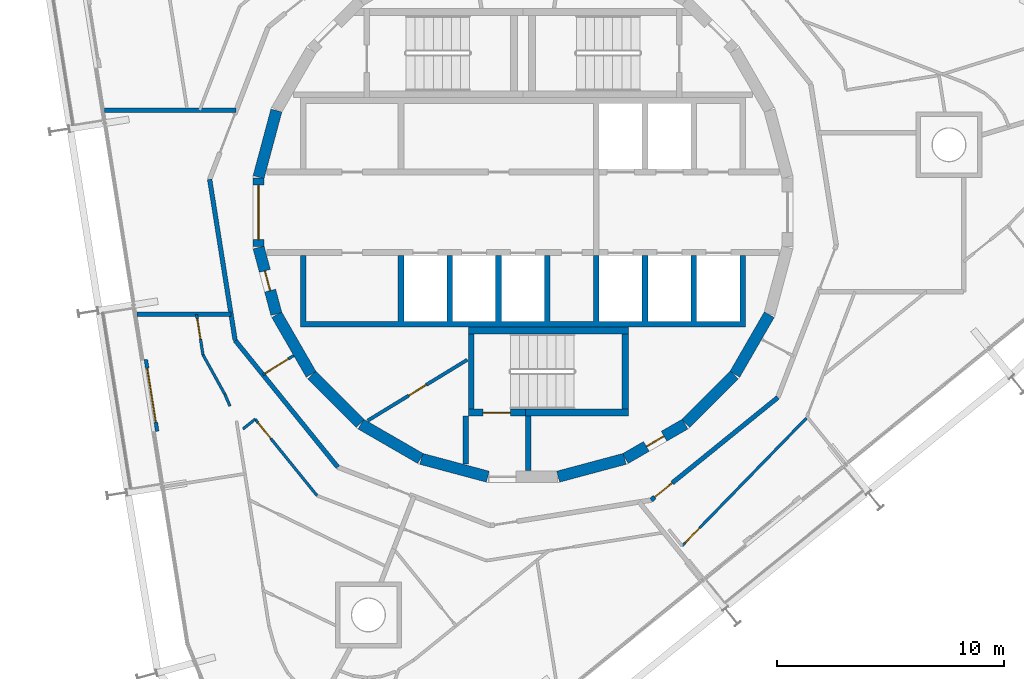
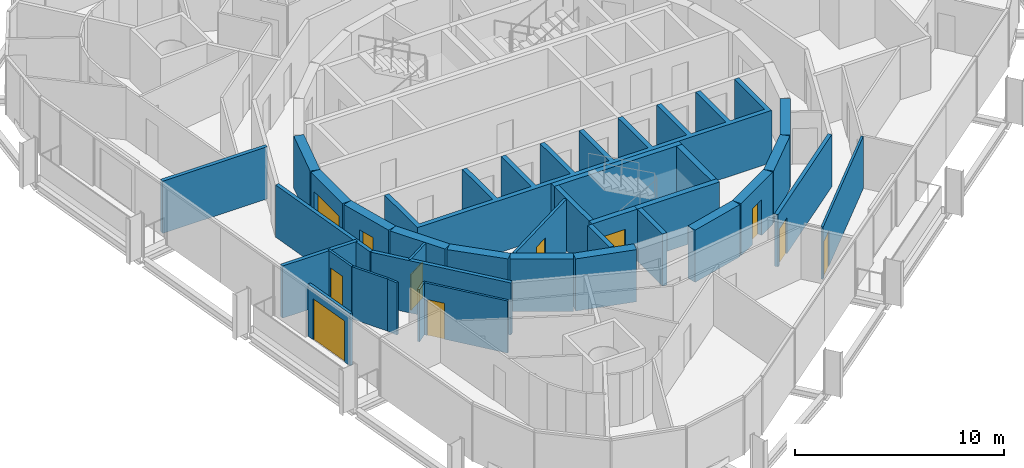
# One storey, part 12 of 17: 33 walls, 11 doors, 11 openings.
"""IFC4 building model written with IfcOpenShell, lengths in metres."""

from ifc_helpers import new_model, si_unit, direction, frame, frame_2d, origin, place, context, subcontext, project, spatial, polyline, rectangle, outline, extrude, material, layer, layer_set, type_object, element, fill, save


model = new_model("IFC4")

# Units and contexts
model_context = context("Model", 3, precision=1e-05, world=origin(), true_north=direction((0.0, 1.0)))
body_context = subcontext(model_context, "Body", "Model", "MODEL_VIEW")
ifc_project = project(units=[si_unit("LENGTHUNIT", "METRE"), si_unit("AREAUNIT", "SQUARE_METRE"), si_unit("VOLUMEUNIT", "CUBIC_METRE"), si_unit("PLANEANGLEUNIT", "RADIAN"), si_unit("MASSUNIT", "GRAM", prefix="KILO")], contexts=[model_context])

# Site, building, storey
site_placement = place(None, origin())
site = spatial("IfcSite", under=ifc_project, at=site_placement, CompositionType="ELEMENT")
building_placement = place(site_placement, origin())
building = spatial("IfcBuilding", under=site, at=building_placement, Name="Spindle Arch Residences", CompositionType="ELEMENT")
storey_placement = place(building_placement, frame((0.0, 0.0, 287.89990234375)))
storey = spatial("IfcBuildingStorey", under=building, at=storey_placement, Name="L74", CompositionType="ELEMENT", Elevation=287.89990234375)

# Wall
ifc_material_1 = material(Name="Concrete C50/60", Category="concrete")
ifc_layer_1 = layer(ifc_material_1, 0.5)
ifc_layer_set_1 = layer_set([ifc_layer_1], Name="Core outline wall 500")
wall_type_1 = type_object("IfcWallType", Name="Core outline wall 500", PredefinedType="SHEAR", material=ifc_layer_set_1)
wall_1_placement = place(storey_placement, frame((1.5498046875, -11.642822265625, 0.0), z_axis=(0.0, 0.0, 1.0), x_axis=(0.965948410781, 0.258734743916, 0.0)))
element("IfcWall", 1, at=wall_1_placement, inside=storey, type_object=wall_type_1, Name="Core outline wall 1", PredefinedType="SHEAR", context=body_context, shape_type="SweptSolid", body=[
    extrude(rectangle(XDim=3.03271484375, YDim=0.5, at=frame_2d((1.516357421875, 0.0))), origin(), (0.0, 0.0, 1.0), 3.050048828125),
])

# Wall, opening, door
wall_2_placement = place(storey_placement, frame((4.510498046875, -10.84521484375, 0.0), z_axis=(0.0, 0.0, 1.0), x_axis=(0.865975092491, 0.500087131594, 0.0)))
wall_2 = element("IfcWall", 2, at=wall_2_placement, inside=storey, type_object=wall_type_1, Name="Core outline wall 2", PredefinedType="SHEAR", context=body_context, shape_type="SweptSolid", body=[
    extrude(rectangle(XDim=3.03271484375, YDim=0.5, at=frame_2d((1.516357421875, 0.0))), origin(), (0.0, 0.0, 1.0), 3.050048828125),
])
opening_1_placement = place(wall_2_placement, frame((1.06640625, 0.0, 0.0)))
opening_1 = element("IfcOpeningElement", 3, at=opening_1_placement, cuts=wall_2, Name="Opening R7C1-WD09", PredefinedType="OPENING", context=body_context, shape_type="SweptSolid", body=[
    extrude(rectangle(XDim=0.89990234375, YDim=2.10009765625, at=frame_2d((0.449951171875, 1.050048828125))), frame((0.0, 0.260009765625, 0.0), z_axis=(0.0, -1.0, 0.0), x_axis=(1.0, 0.0, 0.0)), (0.0, 0.0, 1.0), 0.52001953125),
])
ifc_material_2 = material(Name="Steel, fire-resisting door", Category="steel")
door_type_1 = type_object("IfcDoorType", Name="Service room door 900x2100", OperationType="SINGLE_SWING_LEFT", PredefinedType="DOOR", material=ifc_material_2)
door_1_placement = place(opening_1_placement, origin())
door_1 = element("IfcDoor", 4, at=door_1_placement, inside=storey, type_object=door_type_1, Name="Service room door R7C1-WD09", OperationType="SINGLE_SWING_LEFT", OverallHeight=2.10009765625, OverallWidth=0.89990234375, PredefinedType="DOOR", context=body_context, shape_type="SweptSolid", body=[
    extrude(rectangle(XDim=0.89990234375, YDim=2.10009765625, at=frame_2d((0.449951171875, 1.050048828125))), frame((0.0, 0.02490234375, 0.0), z_axis=(0.0, -1.0, 0.0), x_axis=(1.0, 0.0, 0.0)), (0.0, 0.0, 1.0), 0.050048828125),
])
fill(opening_1, door_1)

# Walls
wall_3_placement = place(storey_placement, frame((7.163818359375, -9.30810546875, 0.0), z_axis=(0.0, 0.0, 1.0), x_axis=(0.707106781187, 0.707106781187, 0.0)))
element("IfcWall", 5, at=wall_3_placement, inside=storey, type_object=wall_type_1, Name="Core outline wall 3", PredefinedType="SHEAR", context=body_context, shape_type="SweptSolid", body=[
    extrude(rectangle(XDim=3.032470703125, YDim=0.5, at=frame_2d((1.51611328125, 0.0))), origin(), (0.0, 0.0, 1.0), 3.050048828125),
])
for number, where, z_axis, x_axis, name in (
    (6, (9.32861328125, -7.13671875, 0.0), (0.0, 0.0, 1.0), (0.500087131594, 0.865975092491, 0.0), "Core outline wall 4"),
    (7, (-10.858154296875, 4.479248046875, 0.0), (0.0, 0.0, 1.0), (-0.258734743916, -0.965948410781, 0.0), "Core outline wall 17"),
):
    element("IfcWall", number, at=place(storey_placement, frame(where, z_axis=z_axis, x_axis=x_axis)), inside=storey, type_object=wall_type_1, Name=name, PredefinedType="SHEAR", context=body_context, shape_type="SweptSolid", body=[
        extrude(rectangle(XDim=3.03271484375, YDim=0.5, at=frame_2d((1.516357421875, 0.0))), origin(), (0.0, 0.0, 1.0), 3.050048828125),
    ])

# Wall, opening, door
wall_4_placement = place(storey_placement, frame((-11.647216796875, 1.516357421875, 0.0), z_axis=(0.0, 0.0, 1.0), x_axis=(0.0, -1.0, 0.0)))
wall_4 = element("IfcWall", 8, at=wall_4_placement, inside=storey, type_object=wall_type_1, Name="Core outline wall 18", PredefinedType="SHEAR", context=body_context, shape_type="SweptSolid", body=[
    extrude(rectangle(XDim=3.03271484375, YDim=0.5, at=frame_2d((1.516357421875, 0.0))), origin(), (0.0, 0.0, 1.0), 3.050048828125),
])
opening_2_placement = place(wall_4_placement, frame((0.31640625, 0.0, 0.0)))
opening_2 = element("IfcOpeningElement", 9, at=opening_2_placement, cuts=wall_4, Name="Opening R7C1-LE01", PredefinedType="OPENING", context=body_context, shape_type="SweptSolid", body=[
    extrude(rectangle(XDim=2.39990234375, YDim=2.10009765625, at=frame_2d((1.199951171875, 1.050048828125))), frame((0.0, 0.260009765625, 0.0), z_axis=(0.0, -1.0, 0.0), x_axis=(1.0, 0.0, 0.0)), (0.0, 0.0, 1.0), 0.52001953125),
])
ifc_material_3 = material(Name="Steel, fire-resisting door", Category="steel")
door_type_2 = type_object("IfcDoorType", Name="Lift lobby entrance door 2400x2100", OperationType="DOUBLE_DOOR_SINGLE_SWING", PredefinedType="DOOR", material=ifc_material_3)
door_2_placement = place(opening_2_placement, origin())
door_2 = element("IfcDoor", 10, at=door_2_placement, inside=storey, type_object=door_type_2, Name="Lift lobby entrance door R7C1-LE01", OperationType="DOUBLE_DOOR_SINGLE_SWING", OverallHeight=2.10009765625, OverallWidth=2.39990234375, PredefinedType="DOOR", context=body_context, shape_type="SweptSolid", body=[
    extrude(rectangle(XDim=2.39990234375, YDim=2.10009765625, at=frame_2d((1.199951171875, 1.050048828125))), frame((0.0, 0.02490234375, 0.0), z_axis=(0.0, -1.0, 0.0), x_axis=(1.0, 0.0, 0.0)), (0.0, 0.0, 1.0), 0.050048828125),
])
fill(opening_2, door_2)

wall_5_placement = place(storey_placement, frame((-11.642822265625, -1.5498046875, 0.0), z_axis=(0.0, 0.0, 1.0), x_axis=(0.258734743916, -0.965948410781, 0.0)))
wall_5 = element("IfcWall", 11, at=wall_5_placement, inside=storey, type_object=wall_type_1, Name="Core outline wall 19", PredefinedType="SHEAR", context=body_context, shape_type="SweptSolid", body=[
    extrude(rectangle(XDim=3.03271484375, YDim=0.5, at=frame_2d((1.516357421875, 0.0))), origin(), (0.0, 0.0, 1.0), 3.050048828125),
])
opening_3_placement = place(wall_5_placement, frame((1.06640625, 0.0, 0.0)))
opening_3 = element("IfcOpeningElement", 12, at=opening_3_placement, cuts=wall_5, Name="Opening R7C1-WD10", PredefinedType="OPENING", context=body_context, shape_type="SweptSolid", body=[
    extrude(rectangle(XDim=0.89990234375, YDim=2.10009765625, at=frame_2d((0.449951171875, 1.050048828125))), frame((0.0, 0.260009765625, 0.0), z_axis=(0.0, -1.0, 0.0), x_axis=(1.0, 0.0, 0.0)), (0.0, 0.0, 1.0), 0.52001953125),
])
door_3_placement = place(opening_3_placement, origin())
door_3 = element("IfcDoor", 13, at=door_3_placement, inside=storey, type_object=door_type_1, Name="Service room door R7C1-WD10", OperationType="SINGLE_SWING_RIGHT", OverallHeight=2.10009765625, OverallWidth=0.89990234375, PredefinedType="DOOR", context=body_context, shape_type="SweptSolid", body=[
    extrude(rectangle(XDim=0.89990234375, YDim=2.10009765625, at=frame_2d((0.449951171875, 1.050048828125))), frame((0.0, 0.02490234375, 0.0), z_axis=(0.0, -1.0, 0.0), x_axis=(1.0, 0.0, 0.0)), (0.0, 0.0, 1.0), 0.050048828125),
])
fill(opening_3, door_3)

# Walls
wall_6_placement = place(storey_placement, frame((-10.84521484375, -4.510498046875, 0.0), z_axis=(0.0, 0.0, 1.0), x_axis=(0.500087131594, -0.865975092491, 0.0)))
element("IfcWall", 14, at=wall_6_placement, inside=storey, type_object=wall_type_1, Name="Core outline wall 20", PredefinedType="SHEAR", context=body_context, shape_type="SweptSolid", body=[
    extrude(rectangle(XDim=3.03271484375, YDim=0.5, at=frame_2d((1.516357421875, 0.0))), origin(), (0.0, 0.0, 1.0), 3.050048828125),
])
wall_7_placement = place(storey_placement, frame((-9.30810546875, -7.163818359375, 0.0), z_axis=(0.0, 0.0, 1.0), x_axis=(0.707106781187, -0.707106781187, 0.0)))
element("IfcWall", 15, at=wall_7_placement, inside=storey, type_object=wall_type_1, Name="Core outline wall 21", PredefinedType="SHEAR", context=body_context, shape_type="SweptSolid", body=[
    extrude(rectangle(XDim=3.032470703125, YDim=0.5, at=frame_2d((1.51611328125, 0.0))), origin(), (0.0, 0.0, 1.0), 3.050048828125),
])
for number, where, z_axis, x_axis, name in (
    (16, (-7.13671875, -9.32861328125, 0.0), (0.0, 0.0, 1.0), (0.865975092491, -0.500087131594, 0.0), "Core outline wall 22"),
    (17, (-4.479248046875, -10.858154296875, 0.0), (0.0, 0.0, 1.0), (0.965948410781, -0.258734743916, 0.0), "Core outline wall 23"),
):
    element("IfcWall", number, at=place(storey_placement, frame(where, z_axis=z_axis, x_axis=x_axis)), inside=storey, type_object=wall_type_1, Name=name, PredefinedType="SHEAR", context=body_context, shape_type="SweptSolid", body=[
        extrude(rectangle(XDim=3.03271484375, YDim=0.5, at=frame_2d((1.516357421875, 0.0))), origin(), (0.0, 0.0, 1.0), 3.050048828125),
    ])

# Wall, opening, door
ifc_material_4 = material(Name="Plasterboard on steel studs", Category="steel")
ifc_layer_2 = layer(ifc_material_4, 0.1201171875)
ifc_layer_set_2 = layer_set([ifc_layer_2], Name="Corridor division wall 120")
wall_type_2 = type_object("IfcWallType", Name="Corridor division wall 120", PredefinedType="PARTITIONING", material=ifc_layer_set_2)
wall_8_placement = place(storey_placement, frame((-11.44921875, -7.154296875, 0.0), z_axis=(0.0, 0.0, 1.0), x_axis=(0.848067047543, 0.529888934468, 0.0)))
wall_8 = element("IfcWall", 18, at=wall_8_placement, inside=storey, type_object=wall_type_2, Name="Corridor division wall R7C1-W003", PredefinedType="PARTITIONING", context=body_context, shape_type="SweptSolid", body=[
    extrude(rectangle(XDim=1.595947265625, YDim=0.1201171875, at=frame_2d((0.7978515625, 0.0))), origin(), (0.0, 0.0, 1.0), 3.050048828125),
])
opening_4_placement = place(wall_8_placement, frame((0.1201171875, 0.0, 0.0)))
opening_4 = element("IfcOpeningElement", 19, at=opening_4_placement, cuts=wall_8, Name="Opening R7C1-CD03", PredefinedType="OPENING", context=body_context, shape_type="SweptSolid", body=[
    extrude(rectangle(XDim=1.199951171875, YDim=2.10009765625, at=frame_2d((0.60009765625, 1.050048828125))), frame((0.0, 0.070068359375, 0.0), z_axis=(0.0, -1.0, 0.0), x_axis=(1.0, 0.0, 0.0)), (0.0, 0.0, 1.0), 0.14013671875),
])
ifc_material_5 = material(Name="Steel, fire-resisting door", Category="steel")
door_type_3 = type_object("IfcDoorType", Name="Corridor division door 1200x2100", OperationType="NOTDEFINED", PredefinedType="DOOR", material=ifc_material_5)
door_4_placement = place(opening_4_placement, origin())
door_4 = element("IfcDoor", 20, at=door_4_placement, inside=storey, type_object=door_type_3, Name="Corridor division door R7C1-CD03", OperationType="DOUBLE_DOOR_SINGLE_SWING", OverallHeight=2.10009765625, OverallWidth=1.199951171875, PredefinedType="DOOR", context=body_context, shape_type="SweptSolid", body=[
    extrude(rectangle(XDim=1.199951171875, YDim=2.10009765625, at=frame_2d((0.60009765625, 1.050048828125))), frame((0.0, 0.02490234375, 0.0), z_axis=(0.0, -1.0, 0.0), x_axis=(1.0, 0.0, 0.0)), (0.0, 0.0, 1.0), 0.050048828125),
])
fill(opening_4, door_4)

# Wall
ifc_material_6 = material(Name="Calcium silicate block, plastered")
ifc_layer_3 = layer(ifc_material_6, 0.199951171875)
ifc_layer_set_3 = layer_set([ifc_layer_3], Name="Corridor wall 200")
wall_type_3 = type_object("IfcWallType", Name="Corridor wall 200", PredefinedType="STANDARD", material=ifc_layer_set_3)
wall_9_placement = place(storey_placement, frame((-12.67333984375, -5.642578125, 0.0), z_axis=(0.0, 0.0, 1.0), x_axis=(0.629302871585, -0.777160148113, 0.0)))
element("IfcWall", 21, at=wall_9_placement, inside=storey, type_object=wall_type_3, Name="Corridor wall R7C1-W012", PredefinedType="STANDARD", context=body_context, shape_type="SweptSolid", body=[
    extrude(rectangle(XDim=7.180908203125, YDim=0.199951171875, at=frame_2d((3.59033203125, 0.0))), origin(), (0.0, 0.0, 1.0), 3.050048828125),
])

# Wall, opening, door
wall_10_placement = place(storey_placement, frame((5.642578125, -12.67333984375, 0.0), z_axis=(0.0, 0.0, 1.0), x_axis=(0.777160148113, 0.629302871585, 0.0)))
wall_10 = element("IfcWall", 22, at=wall_10_placement, inside=storey, type_object=wall_type_3, Name="Corridor wall R7C1-W015", PredefinedType="STANDARD", context=body_context, shape_type="SweptSolid", body=[
    extrude(rectangle(XDim=7.180908203125, YDim=0.199951171875, at=frame_2d((3.59033203125, 0.0))), origin(), (0.0, 0.0, 1.0), 3.050048828125),
])
opening_5_placement = place(wall_10_placement, frame((0.199951171875, 0.0, 0.0)))
opening_5 = element("IfcOpeningElement", 23, at=opening_5_placement, cuts=wall_10, Name="Opening R7C1-FD06", PredefinedType="OPENING", context=body_context, shape_type="SweptSolid", body=[
    extrude(rectangle(XDim=1.0, YDim=2.10009765625, at=frame_2d((0.5, 1.050048828125))), frame((0.0, 0.10986328125, 0.0), z_axis=(0.0, -1.0, 0.0), x_axis=(1.0, 0.0, 0.0)), (0.0, 0.0, 1.0), 0.219970703125),
])
ifc_material_7 = material(Name="Timber, fire-resisting door set", Category="wood")
door_type_4 = type_object("IfcDoorType", Name="Flat entrance door 1000x2100", OperationType="NOTDEFINED", PredefinedType="DOOR", material=ifc_material_7)
door_5_placement = place(opening_5_placement, origin())
door_5 = element("IfcDoor", 24, at=door_5_placement, inside=storey, type_object=door_type_4, Name="Flat entrance door R7C1-FD06", OperationType="SINGLE_SWING_LEFT", OverallHeight=2.10009765625, OverallWidth=1.0, PredefinedType="DOOR", context=body_context, shape_type="SweptSolid", body=[
    extrude(rectangle(XDim=1.0, YDim=2.10009765625, at=frame_2d((0.5, 1.050048828125))), frame((0.0, 0.02490234375, 0.0), z_axis=(0.0, -1.0, 0.0), x_axis=(1.0, 0.0, 0.0)), (0.0, 0.0, 1.0), 0.050048828125),
])
fill(opening_5, door_5)

ifc_material_8 = material(Name="Plasterboard on steel studs", Category="steel")
ifc_layer_4 = layer(ifc_material_8, 0.1201171875)
ifc_layer_set_4 = layer_set([ifc_layer_4], Name="Flat partition 120")
wall_type_4 = type_object("IfcWallType", Name="Flat partition 120", PredefinedType="PARTITIONING", material=ifc_layer_set_4)
wall_11_placement = place(storey_placement, frame((-14.373046875, -4.5, 0.0), z_axis=(0.0, 0.0, 1.0), x_axis=(0.156437152886, -0.987687914878, 0.0)))
wall_11 = element("IfcWall", 25, at=wall_11_placement, inside=storey, type_object=wall_type_4, Name="Flat partition R7C1-W067", PredefinedType="PARTITIONING", context=body_context, shape_type="SweptSolid", body=[
    extrude(rectangle(XDim=1.79638671875, YDim=0.1201171875, at=frame_2d((0.898193359375, 0.0))), origin(), (0.0, 0.0, 1.0), 3.050048828125),
])
opening_6_placement = place(wall_11_placement, frame((0.199951171875, 0.0, 0.0)))
opening_6 = element("IfcOpeningElement", 26, at=opening_6_placement, cuts=wall_11, Name="Opening R7C1-ID13", PredefinedType="OPENING", context=body_context, shape_type="SweptSolid", body=[
    extrude(rectangle(XDim=0.89990234375, YDim=2.10009765625, at=frame_2d((0.449951171875, 1.050048828125))), frame((0.0, 0.070068359375, 0.0), z_axis=(0.0, -1.0, 0.0), x_axis=(1.0, 0.0, 0.0)), (0.0, 0.0, 1.0), 0.14013671875),
])
ifc_material_9 = material(Name="Timber door set", Category="wood")
door_type_5 = type_object("IfcDoorType", Name="Room door 900x2100", OperationType="NOTDEFINED", PredefinedType="DOOR", material=ifc_material_9)
door_6_placement = place(opening_6_placement, origin())
door_6 = element("IfcDoor", 27, at=door_6_placement, inside=storey, type_object=door_type_5, Name="Room door R7C1-ID13", OperationType="SINGLE_SWING_RIGHT", OverallHeight=2.10009765625, OverallWidth=0.89990234375, PredefinedType="DOOR", context=body_context, shape_type="SweptSolid", body=[
    extrude(rectangle(XDim=0.89990234375, YDim=2.10009765625, at=frame_2d((0.449951171875, 1.050048828125))), frame((0.0, 0.02490234375, 0.0), z_axis=(0.0, -1.0, 0.0), x_axis=(1.0, 0.0, 0.0)), (0.0, 0.0, 1.0), 0.050048828125),
])
fill(opening_6, door_6)

# Walls
wall_12_placement = place(storey_placement, frame((-14.092041015625, -6.274169921875, 0.0), z_axis=(0.0, 0.0, 1.0), x_axis=(0.484732033151, -0.87466270987, 0.0)))
element("IfcWall", 28, at=wall_12_placement, inside=storey, type_object=wall_type_4, Name="Flat partition R7C1-W068", PredefinedType="PARTITIONING", context=body_context, shape_type="SweptSolid", body=[
    extrude(rectangle(XDim=1.98046875, YDim=0.1201171875, at=frame_2d((0.990234375, 0.0))), origin(), (0.0, 0.0, 1.0), 3.050048828125),
])
wall_13_placement = place(storey_placement, frame((-13.132080078125, -8.00634765625, 0.0), z_axis=(0.0, 0.0, 1.0), x_axis=(0.400176548656, -0.916438066596, 0.0)))
element("IfcWall", 29, at=wall_13_placement, inside=storey, type_object=wall_type_4, Name="Flat partition R7C1-W069", PredefinedType="PARTITIONING", context=body_context, shape_type="SweptSolid", body=[
    extrude(rectangle(XDim=0.578369140625, YDim=0.1201171875, at=frame_2d((0.2890625, 0.0))), origin(), (0.0, 0.0, 1.0), 3.050048828125),
])
wall_14_placement = place(storey_placement, frame((-12.32958984375, -9.544189453125, 0.0), z_axis=(0.0, 0.0, 1.0), x_axis=(0.777046524115, 0.629443166109, 0.0)))
element("IfcWall", 30, at=wall_14_placement, inside=storey, type_object=wall_type_4, Name="Flat partition R7C1-W070", PredefinedType="PARTITIONING", context=body_context, shape_type="SweptSolid", body=[
    extrude(rectangle(XDim=0.68798828125, YDim=0.1201171875, at=frame_2d((0.343994140625, 0.0))), origin(), (0.0, 0.0, 1.0), 3.050048828125),
])

# Wall, opening, door
wall_15_placement = place(storey_placement, frame((-11.794921875, -9.111083984375, 0.0), z_axis=(0.0, 0.0, 1.0), x_axis=(0.62936834401, -0.777107127466, 0.0)))
wall_15 = element("IfcWall", 31, at=wall_15_placement, inside=storey, type_object=wall_type_4, Name="Flat partition R7C1-W071", PredefinedType="PARTITIONING", context=body_context, shape_type="SweptSolid", body=[
    extrude(rectangle(XDim=4.33447265625, YDim=0.1201171875, at=frame_2d((2.167236328125, 0.0))), origin(), (0.0, 0.0, 1.0), 3.050048828125),
])
opening_7_placement = place(wall_15_placement, frame((0.199951171875, 0.0, 0.0)))
opening_7 = element("IfcOpeningElement", 32, at=opening_7_placement, cuts=wall_15, Name="Opening R7C1-ID14", PredefinedType="OPENING", context=body_context, shape_type="SweptSolid", body=[
    extrude(rectangle(XDim=0.89990234375, YDim=2.10009765625, at=frame_2d((0.449951171875, 1.050048828125))), frame((0.0, 0.070068359375, 0.0), z_axis=(0.0, -1.0, 0.0), x_axis=(1.0, 0.0, 0.0)), (0.0, 0.0, 1.0), 0.14013671875),
])
door_7_placement = place(opening_7_placement, origin())
door_7 = element("IfcDoor", 33, at=door_7_placement, inside=storey, type_object=door_type_5, Name="Room door R7C1-ID14", OperationType="SINGLE_SWING_RIGHT", OverallHeight=2.10009765625, OverallWidth=0.89990234375, PredefinedType="DOOR", context=body_context, shape_type="SweptSolid", body=[
    extrude(rectangle(XDim=0.89990234375, YDim=2.10009765625, at=frame_2d((0.449951171875, 1.050048828125))), frame((0.0, 0.02490234375, 0.0), z_axis=(0.0, -1.0, 0.0), x_axis=(1.0, 0.0, 0.0)), (0.0, 0.0, 1.0), 0.050048828125),
])
fill(opening_7, door_7)

wall_16_placement = place(storey_placement, frame((7.00732421875, -14.692138671875, 0.0), z_axis=(0.0, 0.0, 1.0), x_axis=(0.697286714348, 0.716792325568, 0.0)))
wall_16 = element("IfcWall", 34, at=wall_16_placement, inside=storey, type_object=wall_type_4, Name="Flat partition R7C1-W092", PredefinedType="PARTITIONING", context=body_context, shape_type="SweptSolid", body=[
    extrude(rectangle(XDim=7.847900390625, YDim=0.1201171875, at=frame_2d((3.923828125, 0.0))), origin(), (0.0, 0.0, 1.0), 3.050048828125),
])
opening_8_placement = place(wall_16_placement, frame((0.199951171875, 0.0, 0.0)))
opening_8 = element("IfcOpeningElement", 35, at=opening_8_placement, cuts=wall_16, Name="Opening R7C1-ID21", PredefinedType="OPENING", context=body_context, shape_type="SweptSolid", body=[
    extrude(rectangle(XDim=0.89990234375, YDim=2.10009765625, at=frame_2d((0.449951171875, 1.050048828125))), frame((0.0, 0.070068359375, 0.0), z_axis=(0.0, -1.0, 0.0), x_axis=(1.0, 0.0, 0.0)), (0.0, 0.0, 1.0), 0.14013671875),
])
door_8_placement = place(opening_8_placement, origin())
door_8 = element("IfcDoor", 36, at=door_8_placement, inside=storey, type_object=door_type_5, Name="Room door R7C1-ID21", OperationType="SINGLE_SWING_LEFT", OverallHeight=2.10009765625, OverallWidth=0.89990234375, PredefinedType="DOOR", context=body_context, shape_type="SweptSolid", body=[
    extrude(rectangle(XDim=0.89990234375, YDim=2.10009765625, at=frame_2d((0.449951171875, 1.050048828125))), frame((0.0, 0.02490234375, 0.0), z_axis=(0.0, -1.0, 0.0), x_axis=(1.0, 0.0, 0.0)), (0.0, 0.0, 1.0), 0.050048828125),
])
fill(opening_8, door_8)

ifc_material_10 = material(Name="Non-combustible mineral wool insulated aluminium faced external wall (K0)", Category="aluminium")
ifc_layer_5 = layer(ifc_material_10, 0.159912109375)
ifc_layer_set_5 = layer_set([ifc_layer_5], Name="Insulated external wall panel 160")
wall_type_5 = type_object("IfcWallType", Name="Insulated external wall panel 160", PredefinedType="STANDARD", material=ifc_layer_set_5)
wall_17_placement = place(storey_placement, frame((-16.60693359375, -6.482666015625, 0.0), z_axis=(0.0, 0.0, 1.0), x_axis=(0.156401347891, -0.987693585267, 0.0)))
wall_17 = element("IfcWall", 37, at=wall_17_placement, inside=storey, type_object=wall_type_5, Name="External wall L74 bay 14", PredefinedType="STANDARD", context=body_context, shape_type="SweptSolid", body=[
    extrude(rectangle(XDim=3.199951171875, YDim=0.159912109375, at=frame_2d((1.60009765625, 0.0))), origin(), (0.0, 0.0, 1.0), 3.050048828125),
])
opening_9_placement = place(wall_17_placement, frame((0.39990234375, 0.0, 0.0)))
opening_9 = element("IfcOpeningElement", 38, at=opening_9_placement, cuts=wall_17, Name="Opening BD14", PredefinedType="OPENING", context=body_context, shape_type="SweptSolid", body=[
    extrude(rectangle(XDim=2.39990234375, YDim=2.39990234375, at=frame_2d((1.199951171875, 1.199951171875))), frame((0.0, 0.08984375, 0.0), z_axis=(0.0, -1.0, 0.0), x_axis=(1.0, 0.0, 0.0)), (0.0, 0.0, 1.0), 0.179931640625),
])
ifc_material_11 = material(Name="Bronze aluminium frame, tinted double glazing", Category="aluminium")
door_type_6 = type_object("IfcDoorType", Name="Sliding glazed balcony door 2400x2400", OperationType="DOUBLE_DOOR_SLIDING", PredefinedType="DOOR", material=ifc_material_11)
door_9_placement = place(opening_9_placement, origin())
door_9 = element("IfcDoor", 39, at=door_9_placement, inside=storey, type_object=door_type_6, Name="Balcony door BD14", OperationType="DOUBLE_DOOR_SLIDING", OverallHeight=2.39990234375, OverallWidth=2.39990234375, PredefinedType="DOOR", context=body_context, shape_type="SweptSolid", body=[
    extrude(rectangle(XDim=2.39990234375, YDim=2.39990234375, at=frame_2d((1.199951171875, 1.199951171875))), frame((0.0, 0.02490234375, 0.0), z_axis=(0.0, -1.0, 0.0), x_axis=(1.0, 0.0, 0.0)), (0.0, 0.0, 1.0), 0.050048828125),
])
fill(opening_9, door_9)

# Walls
ifc_material_12 = material(Name="Calcium silicate block, plastered")
ifc_layer_6 = layer(ifc_material_12, 0.199951171875)
ifc_layer_set_6 = layer_set([ifc_layer_6], Name="Lift lobby bay wall 200")
wall_type_6 = type_object("IfcWallType", Name="Lift lobby bay wall 200", PredefinedType="STANDARD", material=ifc_layer_set_6)
wall_18_placement = place(storey_placement, frame((-13.796630859375, 1.4501953125, 0.0), z_axis=(0.0, 0.0, 1.0), x_axis=(0.156421704315, -0.987690361611, 0.0)))
element("IfcWall", 40, at=wall_18_placement, inside=storey, type_object=wall_type_6, Name="Lift lobby bay wall R7C1-W010", PredefinedType="STANDARD", context=body_context, shape_type="SweptSolid", body=[
    extrude(rectangle(XDim=7.18115234375, YDim=0.199951171875, at=frame_2d((3.590576171875, 0.0))), origin(), (0.0, 0.0, 1.0), 3.050048828125),
])
wall_19_placement = place(storey_placement, frame((-12.6259765625, 4.5, 0.0), z_axis=(0.0, 0.0, 1.0), x_axis=(-1.0, 0.0, 0.0)))
element("IfcWall", 41, at=wall_19_placement, inside=storey, type_object=wall_type_6, Name="Lift lobby bay wall R7C1-W016", PredefinedType="STANDARD", context=body_context, shape_type="SweptSolid", body=[
    extrude(rectangle(XDim=5.801513671875, YDim=0.199951171875, at=frame_2d((2.90087890625, 0.0))), origin(), (0.0, 0.0, 1.0), 3.050048828125),
])
wall_20_placement = place(storey_placement, frame((-17.001953125, -4.5, 0.0), z_axis=(0.0, 0.0, 1.0), x_axis=(1.0, 0.0, 0.0)))
element("IfcWall", 42, at=wall_20_placement, inside=storey, type_object=wall_type_6, Name="Lift lobby bay wall R7C1-W017", PredefinedType="STANDARD", context=body_context, shape_type="SweptSolid", body=[
    extrude(rectangle(XDim=4.147705078125, YDim=0.199951171875, at=frame_2d((2.07373046875, 0.0))), origin(), (0.0, 0.0, 1.0), 3.050048828125),
])
ifc_material_13 = material(Name="Concrete C50/60", Category="concrete")
wall_type_7 = type_object("IfcWallType", Name="Lift shaft wall profile", PredefinedType="SHEAR", material=ifc_material_13)
wall_21_placement = place(storey_placement, origin())
element("IfcWall", 43, at=wall_21_placement, inside=storey, type_object=wall_type_7, Name="Lift shaft walls S", PredefinedType="SHEAR", context=body_context, shape_type="SweptSolid", body=[
    extrude(outline(polyline([(9.800048828125, -5.050048828125), (9.800048828125, -4.800048828125), (9.800048828125, -1.89990234375), (9.550048828125, -1.89990234375), (9.550048828125, -4.800048828125), (7.64990234375, -4.800048828125), (7.64990234375, -1.89990234375), (7.39990234375, -1.89990234375), (7.39990234375, -4.800048828125), (5.5, -4.800048828125), (5.5, -1.89990234375), (5.25, -1.89990234375), (5.25, -4.800048828125), (3.35009765625, -4.800048828125), (3.35009765625, -1.89990234375), (3.10009765625, -1.89990234375), (3.10009765625, -4.800048828125), (1.199951171875, -4.800048828125), (1.199951171875, -1.89990234375), (0.949951171875, -1.89990234375), (0.949951171875, -4.800048828125), (-0.949951171875, -4.800048828125), (-0.949951171875, -1.89990234375), (-1.199951171875, -1.89990234375), (-1.199951171875, -4.800048828125), (-3.10009765625, -4.800048828125), (-3.10009765625, -1.89990234375), (-3.35009765625, -1.89990234375), (-3.35009765625, -4.800048828125), (-5.25, -4.800048828125), (-5.25, -1.89990234375), (-5.5, -1.89990234375), (-5.5, -4.800048828125), (-9.550048828125, -4.800048828125), (-9.550048828125, -1.89990234375), (-9.800048828125, -1.89990234375), (-9.800048828125, -4.800048828125), (-9.800048828125, -5.050048828125), (9.800048828125, -5.050048828125)])), origin(), (0.0, 0.0, 1.0), 3.050048828125),
])

# Wall, opening, door
ifc_material_14 = material(Name="Concrete C25/30", Category="concrete")
ifc_layer_7 = layer(ifc_material_14, 0.14990234375)
ifc_layer_set_7 = layer_set([ifc_layer_7], Name="Service room partition 150")
wall_type_8 = type_object("IfcWallType", Name="Service room partition 150", PredefinedType="PARTITIONING", material=ifc_layer_set_7)
wall_22_placement = place(storey_placement, frame((-2.451171875, -6.49462890625, 0.0), z_axis=(0.0, 0.0, 1.0), x_axis=(-0.853250115418, -0.521501908471, 0.0)))
wall_22 = element("IfcWall", 44, at=wall_22_placement, inside=storey, type_object=wall_type_8, Name="Core service room partition", PredefinedType="PARTITIONING", context=body_context, shape_type="SweptSolid", body=[
    extrude(rectangle(XDim=5.137451171875, YDim=0.14990234375, at=frame_2d((2.56884765625, 0.0))), origin(), (0.0, 0.0, 1.0), 3.050048828125),
])
opening_10_placement = place(wall_22_placement, frame((2.11865234375, 0.0, 0.0)))
opening_10 = element("IfcOpeningElement", 45, at=opening_10_placement, cuts=wall_22, Name="Opening R7C1-WD06", PredefinedType="OPENING", context=body_context, shape_type="SweptSolid", body=[
    extrude(rectangle(XDim=0.89990234375, YDim=2.10009765625, at=frame_2d((0.449951171875, 1.050048828125))), frame((0.0, 0.0849609375, 0.0), z_axis=(0.0, -1.0, 0.0), x_axis=(1.0, 0.0, 0.0)), (0.0, 0.0, 1.0), 0.169921875),
])
door_10_placement = place(opening_10_placement, origin())
door_10 = element("IfcDoor", 46, at=door_10_placement, inside=storey, type_object=door_type_1, Name="Service room door R7C1-WD06", OperationType="SINGLE_SWING_RIGHT", OverallHeight=2.10009765625, OverallWidth=0.89990234375, PredefinedType="DOOR", context=body_context, shape_type="SweptSolid", body=[
    extrude(rectangle(XDim=0.89990234375, YDim=2.10009765625, at=frame_2d((0.449951171875, 1.050048828125))), frame((0.0, 0.02490234375, 0.0), z_axis=(0.0, -1.0, 0.0), x_axis=(1.0, 0.0, 0.0)), (0.0, 0.0, 1.0), 0.050048828125),
])
fill(opening_10, door_10)

# Walls
ifc_material_15 = material(Name="Concrete C40/50", Category="concrete")
ifc_layer_8 = layer(ifc_material_15, 0.25)
ifc_layer_set_8 = layer_set([ifc_layer_8], Name="Stair airlock wall 250")
wall_type_9 = type_object("IfcWallType", Name="Stair airlock wall 250", PredefinedType="SHEAR", material=ifc_layer_set_8)
wall_23_placement = place(storey_placement, frame((-2.52490234375, -8.969970703125, 0.0), z_axis=(0.0, 0.0, 1.0), x_axis=(0.0, -1.0, 0.0)))
element("IfcWall", 47, at=wall_23_placement, inside=storey, type_object=wall_type_9, Name="Stair ST-3 airlock wall W", PredefinedType="SHEAR", context=body_context, shape_type="SweptSolid", body=[
    extrude(rectangle(XDim=2.110107421875, YDim=0.25, at=frame_2d((1.05517578125, 0.0))), origin(), (0.0, 0.0, 1.0), 3.050048828125),
])
wall_24_placement = place(storey_placement, frame((0.22509765625, -8.969970703125, 0.0), z_axis=(0.0, 0.0, 1.0), x_axis=(0.0, -1.0, 0.0)))
element("IfcWall", 48, at=wall_24_placement, inside=storey, type_object=wall_type_9, Name="Stair ST-3 airlock wall E", PredefinedType="SHEAR", context=body_context, shape_type="SweptSolid", body=[
    extrude(rectangle(XDim=2.409912109375, YDim=0.25, at=frame_2d((1.205078125, 0.0))), origin(), (0.0, 0.0, 1.0), 3.050048828125),
])
ifc_material_16 = material(Name="Concrete C50/60", Category="concrete")
ifc_layer_9 = layer(ifc_material_16, 0.25)
ifc_layer_set_9 = layer_set([ifc_layer_9], Name="Stair enclosure wall 250")
wall_type_10 = type_object("IfcWallType", Name="Stair enclosure wall 250", PredefinedType="SHEAR", material=ifc_layer_set_9)
wall_25_placement = place(storey_placement, frame((-2.27490234375, -8.669921875, 0.0), z_axis=(0.0, 0.0, 1.0), x_axis=(0.0, 1.0, 0.0)))
element("IfcWall", 49, at=wall_25_placement, inside=storey, type_object=wall_type_10, Name="Stair ST-3 enclosure wall W", PredefinedType="SHEAR", context=body_context, shape_type="SweptSolid", body=[
    extrude(rectangle(XDim=3.31982421875, YDim=0.25, at=frame_2d((1.659912109375, 0.0))), origin(), (0.0, 0.0, 1.0), 3.050048828125),
])
ifc_material_17 = material(Name="Concrete C50/60", Category="concrete")
ifc_layer_10 = layer(ifc_material_17, 0.300048828125)
ifc_layer_set_10 = layer_set([ifc_layer_10], Name="Stair enclosure wall 300")
wall_type_11 = type_object("IfcWallType", Name="Stair enclosure wall 300", PredefinedType="SHEAR", material=ifc_layer_set_10)
wall_26_placement = place(storey_placement, frame((-2.39990234375, -5.199951171875, 0.0), z_axis=(0.0, 0.0, 1.0), x_axis=(1.0, 0.0, 0.0)))
element("IfcWall", 50, at=wall_26_placement, inside=storey, type_object=wall_type_11, Name="Stair ST-3 enclosure wall N", PredefinedType="SHEAR", context=body_context, shape_type="SweptSolid", body=[
    extrude(rectangle(XDim=7.0498046875, YDim=0.300048828125, at=frame_2d((3.52490234375, 0.0))), origin(), (0.0, 0.0, 1.0), 3.050048828125),
])
wall_27_placement = place(storey_placement, frame((4.5, -8.669921875, 0.0), z_axis=(0.0, 0.0, 1.0), x_axis=(0.0, 1.0, 0.0)))
element("IfcWall", 51, at=wall_27_placement, inside=storey, type_object=wall_type_11, Name="Stair ST-3 enclosure wall E", PredefinedType="SHEAR", context=body_context, shape_type="SweptSolid", body=[
    extrude(rectangle(XDim=3.31982421875, YDim=0.300048828125, at=frame_2d((1.659912109375, 0.0))), origin(), (0.0, 0.0, 1.0), 3.050048828125),
])
wall_28_placement = place(storey_placement, frame((0.10009765625, -8.820068359375, 0.0), z_axis=(0.0, 0.0, 1.0), x_axis=(1.0, 0.0, 0.0)))
element("IfcWall", 52, at=wall_28_placement, inside=storey, type_object=wall_type_11, Name="Stair ST-3 enclosure wall S", PredefinedType="SHEAR", context=body_context, shape_type="SweptSolid", body=[
    extrude(rectangle(XDim=4.5498046875, YDim=0.300048828125, at=frame_2d((2.27490234375, 0.0))), origin(), (0.0, 0.0, 1.0), 3.050048828125),
])

# Wall, opening, door
wall_29_placement = place(storey_placement, frame((-2.39990234375, -8.820068359375, 0.0), z_axis=(0.0, 0.0, 1.0), x_axis=(1.0, 0.0, 0.0)))
wall_29 = element("IfcWall", 53, at=wall_29_placement, inside=storey, type_object=wall_type_11, Name="Stair ST-3 door wall", PredefinedType="SHEAR", context=body_context, shape_type="SweptSolid", body=[
    extrude(rectangle(XDim=2.5, YDim=0.300048828125, at=frame_2d((1.25, 0.0))), origin(), (0.0, 0.0, 1.0), 3.050048828125),
])
opening_11_placement = place(wall_29_placement, frame((0.64990234375, 0.0, 0.0)))
opening_11 = element("IfcOpeningElement", 54, at=opening_11_placement, cuts=wall_29, Name="Opening R7C1-SD03", PredefinedType="OPENING", context=body_context, shape_type="SweptSolid", body=[
    extrude(rectangle(XDim=1.199951171875, YDim=2.10009765625, at=frame_2d((0.60009765625, 1.050048828125))), frame((0.0, 0.16015625, 0.0), z_axis=(0.0, -1.0, 0.0), x_axis=(1.0, 0.0, 0.0)), (0.0, 0.0, 1.0), 0.320068359375),
])
ifc_material_18 = material(Name="Steel, fire-resisting door", Category="steel")
door_type_7 = type_object("IfcDoorType", Name="Stair door 1200x2100", OperationType="SINGLE_SWING_RIGHT", PredefinedType="DOOR", material=ifc_material_18)
door_11_placement = place(opening_11_placement, origin())
door_11 = element("IfcDoor", 55, at=door_11_placement, inside=storey, type_object=door_type_7, Name="Stair door R7C1-SD03", OperationType="SINGLE_SWING_LEFT", OverallHeight=2.10009765625, OverallWidth=1.199951171875, PredefinedType="DOOR", context=body_context, shape_type="SweptSolid", body=[
    extrude(rectangle(XDim=1.199951171875, YDim=2.10009765625, at=frame_2d((0.60009765625, 1.050048828125))), frame((0.0, 0.02490234375, 0.0), z_axis=(0.0, -1.0, 0.0), x_axis=(1.0, 0.0, 0.0)), (0.0, 0.0, 1.0), 0.050048828125),
])
fill(opening_11, door_11)

save(model, "model.ifc")
